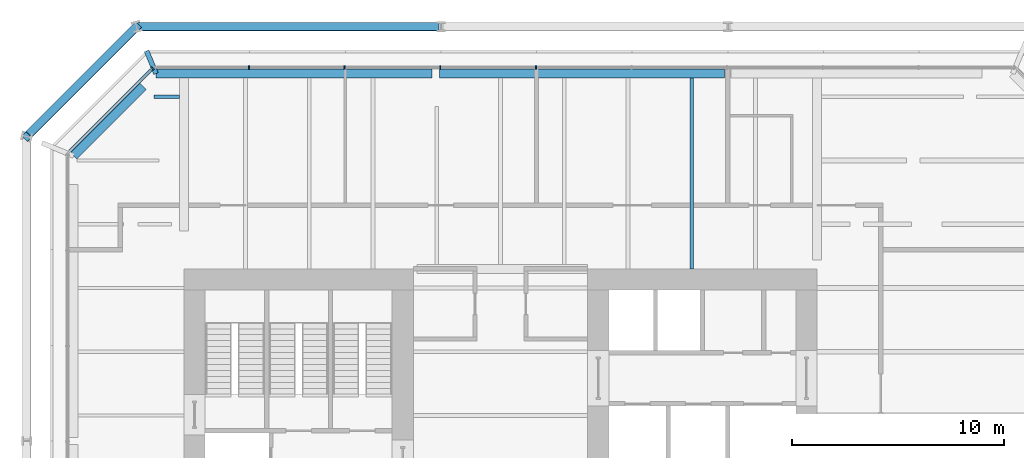
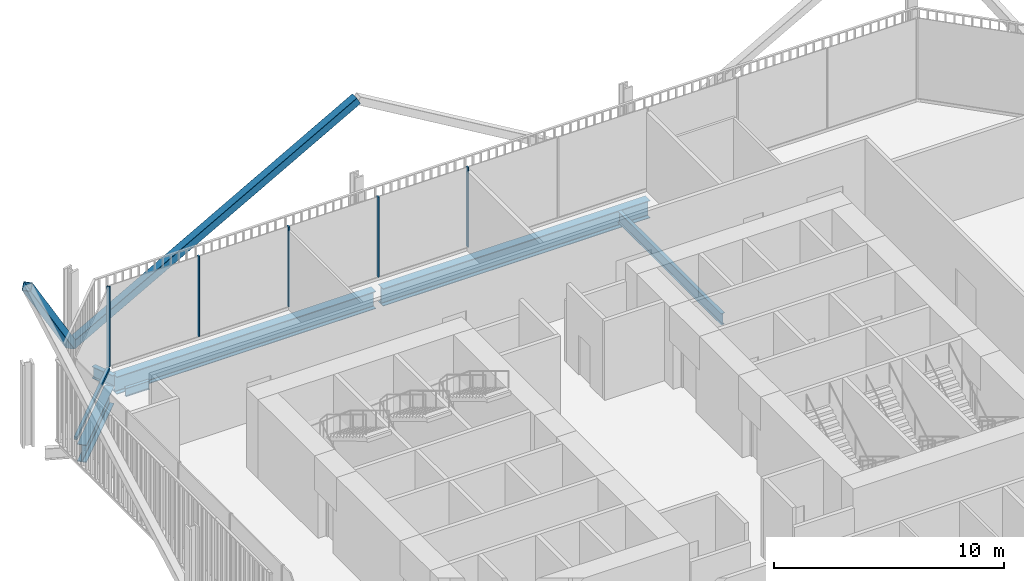
# One storey, part 12 of 21: 8 members, 6 beams, 2 elements without a shape of their own.
"""IFC4 building model written with IfcOpenShell, lengths in metres."""

from ifc_helpers import new_model, si_unit, direction, frame, origin, origin_2d, place, context, subcontext, project, spatial, rectangle, hollow_rectangle, i_section, extrude, material, layer, layer_set, material_profile, profile_set, type_object, element, aggregate, save


model = new_model("IFC4")

# Units and contexts
model_context = context("Model", 3, precision=1e-05, world=origin(), true_north=direction((0.0, 1.0)))
body_context = subcontext(model_context, "Body", "Model", "MODEL_VIEW")
ifc_project = project(units=[si_unit("LENGTHUNIT", "METRE"), si_unit("AREAUNIT", "SQUARE_METRE"), si_unit("VOLUMEUNIT", "CUBIC_METRE"), si_unit("PLANEANGLEUNIT", "RADIAN"), si_unit("MASSUNIT", "GRAM", prefix="KILO")], contexts=[model_context])

# Site, building, storey
site_placement = place(None, origin())
site = spatial("IfcSite", under=ifc_project, at=site_placement, CompositionType="ELEMENT")
building_placement = place(site_placement, origin())
building = spatial("IfcBuilding", under=site, at=building_placement, Name="Millrace Tower", CompositionType="ELEMENT")
storey_placement = place(building_placement, frame((0.0, 0.0, 73.199951171875)))
storey = spatial("IfcBuildingStorey", under=building, at=storey_placement, Name="L16", CompositionType="ELEMENT", Elevation=73.199951171875)

# Curtain wall, members
ifc_material_1 = material(Name="Aluminium and glass", Category="aluminium")
ifc_layer = layer(ifc_material_1, 0.14990234375)
ifc_layer_set = layer_set([ifc_layer], Name="Aluminium and glass")
curtain_wall_type = type_object("IfcCurtainWallType", Name="CW-3 telecom floor curtain wall", PredefinedType="NOTDEFINED", material=ifc_layer_set)
placement = place(storey_placement, origin())
curtain_wall_1 = element("IfcCurtainWall", 1, at=placement, inside=storey, type_object=curtain_wall_type, Name="Curtain wall B-F06 L16", PredefinedType="NOTDEFINED")
ifc_material_2 = material(Name="Aluminium", Category="aluminium")
ifc_material_profile_1 = material_profile(ifc_material_2, rectangle(XDim=0.06494140625, YDim=0.14990234375, at=origin_2d()))
ifc_profile_set_1 = profile_set([ifc_material_profile_1], Name="Aluminium")
member_type_1 = type_object("IfcMemberType", Name="CW-3 telecom floor curtain wall mullion", PredefinedType="MULLION", material=ifc_profile_set_1)
member_1_placement = place(storey_placement, frame((1.66748046875, 19.375, 0.150146484375), z_axis=(0.0, 0.0, 1.0), x_axis=(-1.0, 0.0, 0.0)))
member_1 = element("IfcMember", 2, at=member_1_placement, type_object=member_type_1, Name="CW3 mullion B-F06.6", PredefinedType="MULLION", context=body_context, shape_type="SweptSolid", body=[
    extrude(rectangle(XDim=0.06494140625, YDim=0.14990234375, at=origin_2d()), origin(), (0.0, 0.0, 1.0), 4.25),
])
member_2_placement = place(storey_placement, frame((-2.83251953125, 19.375, 0.150146484375), z_axis=(0.0, 0.0, 1.0), x_axis=(-1.0, 0.0, 0.0)))
member_2 = element("IfcMember", 3, at=member_2_placement, type_object=member_type_1, Name="CW3 mullion B-F06.7", PredefinedType="MULLION", context=body_context, shape_type="SweptSolid", body=[
    extrude(rectangle(XDim=0.06494140625, YDim=0.14990234375, at=origin_2d()), origin(), (0.0, 0.0, 1.0), 4.25),
])
member_3_placement = place(storey_placement, frame((-7.33251953125, 19.375, 0.150146484375), z_axis=(0.0, 0.0, 1.0), x_axis=(-1.0, 0.0, 0.0)))
member_3 = element("IfcMember", 4, at=member_3_placement, type_object=member_type_1, Name="CW3 mullion B-F06.8", PredefinedType="MULLION", context=body_context, shape_type="SweptSolid", body=[
    extrude(rectangle(XDim=0.06494140625, YDim=0.14990234375, at=origin_2d()), origin(), (0.0, 0.0, 1.0), 4.25),
])
member_4_placement = place(storey_placement, frame((-11.83251953125, 19.375, 0.150146484375), z_axis=(0.0, 0.0, 1.0), x_axis=(-1.0, 0.0, 0.0)))
member_4 = element("IfcMember", 5, at=member_4_placement, type_object=member_type_1, Name="CW3 mullion B-F06.9", PredefinedType="MULLION", context=body_context, shape_type="SweptSolid", body=[
    extrude(rectangle(XDim=0.06494140625, YDim=0.14990234375, at=origin_2d()), origin(), (0.0, 0.0, 1.0), 4.25),
])
aggregate(curtain_wall_1, [member_1, member_2, member_3, member_4])

curtain_wall_2 = element("IfcCurtainWall", 6, at=placement, inside=storey, type_object=curtain_wall_type, Name="Curtain wall B-F07 L16", PredefinedType="NOTDEFINED")
member_5_placement = place(storey_placement, frame((-16.3759765625, 19.330078125, 0.150146484375), z_axis=(0.0, 0.0, 1.0), x_axis=(-0.707106781187, -0.707106781187, 0.0)))
member_5 = element("IfcMember", 7, at=member_5_placement, type_object=member_type_1, Name="CW3 mullion B-F07.1", PredefinedType="MULLION", context=body_context, shape_type="SweptSolid", body=[
    extrude(rectangle(XDim=0.06494140625, YDim=0.14990234375, at=origin_2d()), origin(), (0.0, 0.0, 1.0), 4.25),
])
ifc_material_3 = material(Name="Aluminium", Category="aluminium")
ifc_material_profile_2 = material_profile(ifc_material_3, rectangle(XDim=0.14990234375, YDim=0.14990234375, at=origin_2d()))
ifc_profile_set_2 = profile_set([ifc_material_profile_2], Name="Aluminium")
member_type_2 = type_object("IfcMemberType", Name="CW-3 telecom floor curtain wall transom", PredefinedType="USERDEFINED", material=ifc_profile_set_2)
member_6_placement = place(storey_placement, frame((-16.423828125, 19.2822265625, 0.074951171875), z_axis=(-0.707106781187, -0.707106781187, 0.0), x_axis=(0.707106781187, -0.707106781187, 0.0)))
member_6 = element("IfcMember", 8, at=member_6_placement, type_object=member_type_2, Name="CW3 transom B-F07.1", ObjectType="TRANSOM", PredefinedType="USERDEFINED", context=body_context, shape_type="SweptSolid", body=[
    extrude(rectangle(XDim=0.14990234375, YDim=0.14990234375, at=origin_2d()), origin(), (0.0, 0.0, 1.0), 5.45654296875),
])
aggregate(curtain_wall_2, [member_5, member_6])

# Members
ifc_material_4 = material(Name="Steel ASTM A500 Grade C", Category="steel")
ifc_material_profile_3 = material_profile(ifc_material_4, hollow_rectangle(XDim=0.406494140625, YDim=0.406494140625, WallThickness=0.015869140625, InnerFilletRadius=0.008056640625, OuterFilletRadius=0.02392578125, at=origin_2d()))
ifc_profile_set_3 = profile_set([ifc_material_profile_3], Name="Steel ASTM A500 Grade C")
member_type_3 = type_object("IfcMemberType", Name="Exoskeleton brace HSS16x16x5/8", PredefinedType="BRACE", material=ifc_profile_set_3)
member_7_placement = place(storey_placement, frame((-17.12841796875, 21.300048828125, 0.400146484375), z_axis=(0.873125840427, 0.0, 0.487494888976), x_axis=(0.0, 1.0, 0.0)))
element("IfcMember", 9, at=member_7_placement, inside=storey, type_object=member_type_3, Name="BRC-B-L16-12", PredefinedType="BRACE", context=body_context, shape_type="SweptSolid", body=[
    extrude(hollow_rectangle(XDim=0.406494140625, YDim=0.406494140625, WallThickness=0.015869140625, InnerFilletRadius=0.008056640625, OuterFilletRadius=0.02392578125, at=origin_2d()), origin(), (0.0, 0.0, 1.0), 16.410400390625),
])
member_8_placement = place(storey_placement, frame((-17.12841796875, 21.300048828125, 0.400146484375), z_axis=(-0.477116280189, -0.477116280189, 0.738051563482), x_axis=(0.707106781187, -0.707106781187, 0.0)))
element("IfcMember", 10, at=member_8_placement, inside=storey, type_object=member_type_3, Name="BRC-B-L16-13", PredefinedType="BRACE", context=body_context, shape_type="SweptSolid", body=[
    extrude(hollow_rectangle(XDim=0.406494140625, YDim=0.406494140625, WallThickness=0.015869140625, InnerFilletRadius=0.008056640625, OuterFilletRadius=0.02392578125, at=origin_2d()), origin(), (0.0, 0.0, 1.0), 10.83935546875),
])

# Beams
ifc_material_5 = material(Name="Steel ASTM A992 Grade 50", Category="steel")
ifc_material_profile_4 = material_profile(ifc_material_5, i_section(OverallWidth=0.15234375, OverallDepth=0.449462890625, WebThickness=0.007568359375, FlangeThickness=0.0107421875, FilletRadius=0.01025390625, at=origin_2d()))
ifc_profile_set_4 = profile_set([ifc_material_profile_4], Name="Steel ASTM A992 Grade 50")
beam_type_1 = type_object("IfcBeamType", Name="Floor beam W18x35", PredefinedType="JOIST", material=ifc_profile_set_4)
beam_1_placement = place(storey_placement, frame((-16.30126953125, 18.0, -0.4248046875), z_axis=(1.0, 0.0, 0.0), x_axis=(0.0, 1.0, 0.0)))
element("IfcBeam", 11, at=beam_1_placement, inside=storey, type_object=beam_type_1, Name="BM-B-L16-S1-S038", PredefinedType="JOIST", context=body_context, shape_type="SweptSolid", body=[
    extrude(i_section(OverallWidth=0.15234375, OverallDepth=0.449462890625, WebThickness=0.007568359375, FlangeThickness=0.0107421875, FilletRadius=0.01025390625, at=origin_2d()), origin(), (0.0, 0.0, 1.0), 1.1904296875),
])
ifc_material_6 = material(Name="Steel ASTM A992 Grade 50", Category="steel")
ifc_material_profile_5 = material_profile(ifc_material_6, i_section(OverallWidth=0.177978515625, OverallDepth=0.599365234375, WebThickness=0.010009765625, FlangeThickness=0.012939453125, FilletRadius=0.012939453125, at=origin_2d()))
ifc_profile_set_5 = profile_set([ifc_material_profile_5], Name="Steel ASTM A992 Grade 50")
beam_type_2 = type_object("IfcBeamType", Name="Floor beam W24x55", PredefinedType="JOIST", material=ifc_profile_set_5)
beam_2_placement = place(storey_placement, frame((9.0, 9.89990234375, -0.499755859375), z_axis=(0.0, 1.0, 0.0), x_axis=(-1.0, 0.0, 0.0)))
element("IfcBeam", 12, at=beam_2_placement, inside=storey, type_object=beam_type_2, Name="BM-B-L16-S1-S054", PredefinedType="JOIST", context=body_context, shape_type="SweptSolid", body=[
    extrude(i_section(OverallWidth=0.177978515625, OverallDepth=0.599365234375, WebThickness=0.010009765625, FlangeThickness=0.012939453125, FilletRadius=0.012939453125, at=origin_2d()), origin(), (0.0, 0.0, 1.0), 8.98095703125),
])
ifc_material_7 = material(Name="Steel ASTM A992 Grade 50", Category="steel")
ifc_material_profile_6 = material_profile(ifc_material_7, i_section(OverallWidth=0.23046875, OverallDepth=0.6171875, WebThickness=0.01318359375, FlangeThickness=0.022216796875, FilletRadius=0.012939453125, at=origin_2d()))
ifc_profile_set_6 = profile_set([ifc_material_profile_6], Name="Steel ASTM A992 Grade 50")
beam_type_3 = type_object("IfcBeamType", Name="Link beam W24x94", PredefinedType="BEAM", material=ifc_profile_set_6)
beam_3_placement = place(storey_placement, frame((-16.213134765625, 19.09033203125, -0.508544921875), z_axis=(-0.38273774948, 0.923857031755, 0.0), x_axis=(-0.923857031755, -0.38273774948, 0.0)))
element("IfcBeam", 13, at=beam_3_placement, inside=storey, type_object=beam_type_3, Name="LNK-B-L16-S1-05", PredefinedType="BEAM", context=body_context, shape_type="SweptSolid", body=[
    extrude(i_section(OverallWidth=0.23046875, OverallDepth=0.6171875, WebThickness=0.01318359375, FlangeThickness=0.022216796875, FilletRadius=0.012939453125, at=origin_2d()), origin(), (0.0, 0.0, 1.0), 1.154541015625),
])
ifc_material_8 = material(Name="Steel ASTM A992 Grade 50", Category="steel")
ifc_material_profile_7 = material_profile(ifc_material_8, i_section(OverallWidth=0.419189453125, OverallDepth=0.927001953125, WebThickness=0.019287109375, FlangeThickness=0.031982421875, FilletRadius=0.024169921875, at=origin_2d()))
ifc_profile_set_7 = profile_set([ifc_material_profile_7], Name="Steel ASTM A992 Grade 50")
beam_type_4 = type_object("IfcBeamType", Name="Ring beam medium span W36x231", PredefinedType="SPANDREL", material=ifc_profile_set_7)
beam_4_placement = place(storey_placement, frame((-16.213134765625, 19.09033203125, -0.66357421875), z_axis=(1.0, 0.0, 0.0), x_axis=(0.0, 1.0, 0.0)))
element("IfcBeam", 14, at=beam_4_placement, inside=storey, type_object=beam_type_4, Name="RNG-B-L16-S1-05", PredefinedType="SPANDREL", context=body_context, shape_type="SweptSolid", body=[
    extrude(i_section(OverallWidth=0.419189453125, OverallDepth=0.927001953125, WebThickness=0.019287109375, FlangeThickness=0.031982421875, FilletRadius=0.024169921875, at=origin_2d()), origin(), (0.0, 0.0, 1.0), 12.994873046875),
])
beam_5_placement = place(storey_placement, frame((-2.864013671875, 19.09033203125, -0.66357421875), z_axis=(1.0, 0.0, 0.0), x_axis=(0.0, 1.0, 0.0)))
element("IfcBeam", 15, at=beam_5_placement, inside=storey, type_object=beam_type_4, Name="RNG-B-L16-S1-06", PredefinedType="SPANDREL", context=body_context, shape_type="SweptSolid", body=[
    extrude(i_section(OverallWidth=0.419189453125, OverallDepth=0.927001953125, WebThickness=0.019287109375, FlangeThickness=0.031982421875, FilletRadius=0.024169921875, at=origin_2d()), origin(), (0.0, 0.0, 1.0), 13.40283203125),
])
ifc_material_9 = material(Name="Steel ASTM A992 Grade 50", Category="steel")
ifc_material_profile_8 = material_profile(ifc_material_9, i_section(OverallWidth=0.419189453125, OverallDepth=0.927001953125, WebThickness=0.019287109375, FlangeThickness=0.031982421875, FilletRadius=0.024169921875, at=origin_2d()))
ifc_profile_set_8 = profile_set([ifc_material_profile_8], Name="Steel ASTM A992 Grade 50")
beam_type_5 = type_object("IfcBeamType", Name="Ring beam short span W36x231", PredefinedType="SPANDREL", material=ifc_profile_set_8)
beam_6_placement = place(storey_placement, frame((-20.09033203125, 15.213134765625, -0.66357421875), z_axis=(0.707080410873, 0.707133150517, 0.0), x_axis=(-0.707133150517, 0.707080410873, 0.0)))
element("IfcBeam", 16, at=beam_6_placement, inside=storey, type_object=beam_type_5, Name="RNG-B-L16-S1-04", PredefinedType="SPANDREL", context=body_context, shape_type="SweptSolid", body=[
    extrude(i_section(OverallWidth=0.419189453125, OverallDepth=0.927001953125, WebThickness=0.019287109375, FlangeThickness=0.031982421875, FilletRadius=0.024169921875, at=origin_2d()), origin(), (0.0, 0.0, 1.0), 4.629150390625),
])

save(model, "model.ifc")
